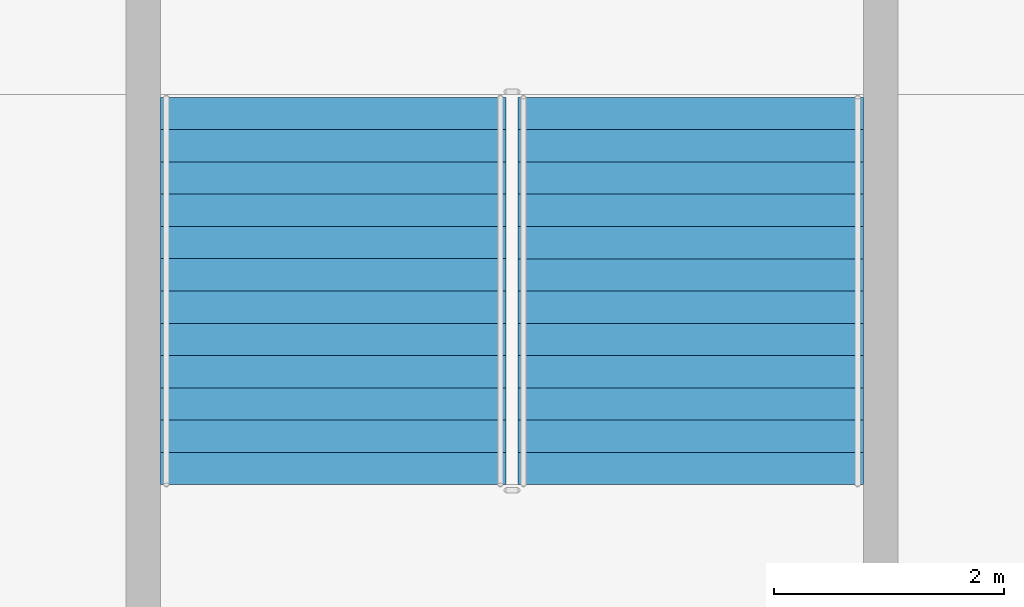
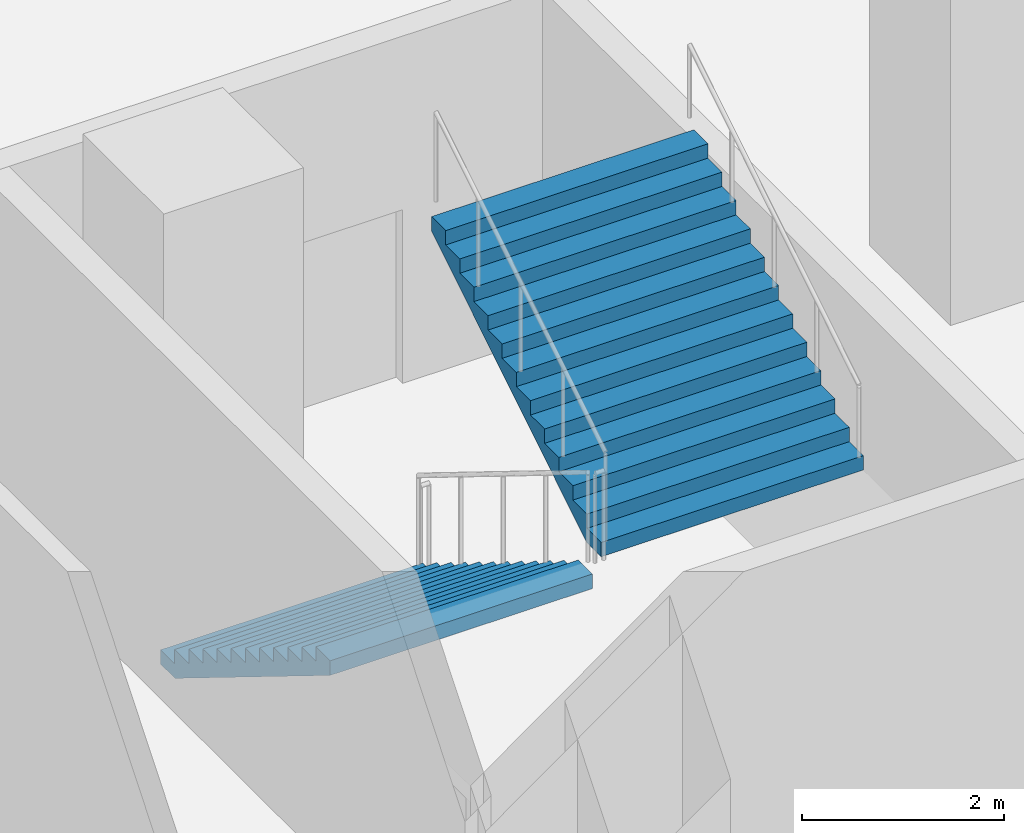
# One storey, part 7 of 13: 2 stair flights, 1 element without a shape of its own.
"""IFC4 building model written with IfcOpenShell, lengths in metres."""

from ifc_helpers import new_model, si_unit, direction, frame, origin, place, context, subcontext, project, spatial, triangles, source, transform, mapped, material, type_object, element, aggregate, save


model = new_model("IFC4")

# Units and contexts
model_context = context("Model", 3, precision=1e-05, world=origin(), true_north=direction((0.0, 1.0)))
body_context = subcontext(model_context, "Body", "Model", "MODEL_VIEW")
ifc_project = project(units=[si_unit("LENGTHUNIT", "METRE"), si_unit("AREAUNIT", "SQUARE_METRE"), si_unit("VOLUMEUNIT", "CUBIC_METRE"), si_unit("PLANEANGLEUNIT", "RADIAN"), si_unit("MASSUNIT", "GRAM", prefix="KILO")], contexts=[model_context])

# Site, building, storey
site_placement = place(None, origin())
site = spatial("IfcSite", under=ifc_project, at=site_placement, CompositionType="ELEMENT")
building_placement = place(site_placement, origin())
building = spatial("IfcBuilding", under=site, at=building_placement, Name="Ogive Portal Towers", CompositionType="ELEMENT")
storey_placement = place(building_placement, frame((0.0, 0.0, -9.0)))
storey = spatial("IfcBuildingStorey", under=building, at=storey_placement, Name="B2", CompositionType="ELEMENT", Elevation=-9.0)

# Stair, stair flights
ifc_material = material(Name="Concrete C40/50", Category="concrete")
stair_type = type_object("IfcStairType", Name="INT-STAIR", PredefinedType="HALF_TURN_STAIR", material=ifc_material)
stair_placement = place(storey_placement, origin())
stair = element("IfcStair", 1, at=stair_placement, inside=storey, type_object=stair_type, Name="B2 Exit Stair ST-S1", PredefinedType="HALF_TURN_STAIR")
stair_flight_type = type_object("IfcStairFlightType", Name="INT-FLIGHT", PredefinedType="STRAIGHT", material=ifc_material)
shared_shape = source(origin(), body_context, "Body", "Tessellation", [
    triangles([(0.0, -1.5, 0.0), (0.0, -0.8681640625, 0.0), (0.0, -0.4443359375, 0.0), (0.0, -0.1875, 0.0), (0.0, -0.0556640625, 0.0), (0.0, -0.0068359375, 0.0), (0.0, 0.0, 0.0), (0.0, 0.0068359375, 0.0), (0.0, 0.0556640625, 0.0), (0.0, 0.1875, 0.0), (0.0, 0.4443359375, 0.0), (0.0, 0.8681640625, 0.0), (0.0, 1.5, 0.0), (0.0, -1.5, 0.173095703125), (0.0, -0.8681640625, 0.173095703125), (0.0, -0.4443359375, 0.173095703125), (0.0, -0.1875, 0.173095703125), (0.0, -0.0556640625, 0.173095703125), (0.0, -0.0068359375, 0.173095703125), (0.0, 0.0, 0.173095703125), (0.0, 0.0068359375, 0.173095703125), (0.0, 0.0556640625, 0.173095703125), (0.0, 0.1875, 0.173095703125), (0.0, 0.4443359375, 0.173095703125), (0.0, 0.8681640625, 0.173095703125), (0.0, 1.5, 0.173095703125), (0.280029296875, -1.5, 0.173095703125), (0.280029296875, -0.8681640625, 0.173095703125), (0.280029296875, -0.4443359375, 0.173095703125), (0.280029296875, -0.1875, 0.173095703125), (0.280029296875, -0.0556640625, 0.173095703125), (0.280029296875, -0.0068359375, 0.173095703125), (0.280029296875, 0.0, 0.173095703125), (0.280029296875, 0.0068359375, 0.173095703125), (0.280029296875, 0.0556640625, 0.173095703125), (0.280029296875, 0.1875, 0.173095703125), (0.280029296875, 0.4443359375, 0.173095703125), (0.280029296875, 0.8681640625, 0.173095703125), (0.280029296875, 1.5, 0.173095703125), (0.280029296875, -1.5, 0.34619140625), (0.280029296875, -0.8681640625, 0.34619140625), (0.280029296875, -0.4443359375, 0.34619140625), (0.280029296875, -0.1875, 0.34619140625), (0.280029296875, -0.0556640625, 0.34619140625), (0.280029296875, -0.0068359375, 0.34619140625), (0.280029296875, 0.0, 0.34619140625), (0.280029296875, 0.0068359375, 0.34619140625), (0.280029296875, 0.0556640625, 0.34619140625), (0.280029296875, 0.1875, 0.34619140625), (0.280029296875, 0.4443359375, 0.34619140625), (0.280029296875, 0.8681640625, 0.34619140625), (0.280029296875, 1.5, 0.34619140625), (0.56005859375, -1.5, 0.34619140625), (0.56005859375, -0.8681640625, 0.34619140625), (0.56005859375, -0.4443359375, 0.34619140625), (0.56005859375, -0.1875, 0.34619140625), (0.56005859375, -0.0556640625, 0.34619140625), (0.56005859375, -0.0068359375, 0.34619140625), (0.56005859375, 0.0, 0.34619140625), (0.56005859375, 0.0068359375, 0.34619140625), (0.56005859375, 0.0556640625, 0.34619140625), (0.56005859375, 0.1875, 0.34619140625), (0.56005859375, 0.4443359375, 0.34619140625), (0.56005859375, 0.8681640625, 0.34619140625), (0.56005859375, 1.5, 0.34619140625), (0.56005859375, -1.5, 0.519287109375), (0.56005859375, -0.8681640625, 0.519287109375), (0.56005859375, -0.4443359375, 0.519287109375), (0.56005859375, -0.1875, 0.519287109375), (0.56005859375, -0.0556640625, 0.519287109375), (0.56005859375, -0.0068359375, 0.519287109375), (0.56005859375, 0.0, 0.519287109375), (0.56005859375, 0.0068359375, 0.519287109375), (0.56005859375, 0.0556640625, 0.519287109375), (0.56005859375, 0.1875, 0.519287109375), (0.56005859375, 0.4443359375, 0.519287109375), (0.56005859375, 0.8681640625, 0.519287109375), (0.56005859375, 1.5, 0.519287109375), (0.840087890625, -1.5, 0.519287109375), (0.840087890625, -0.8681640625, 0.519287109375), (0.840087890625, -0.4443359375, 0.519287109375), (0.840087890625, -0.1875, 0.519287109375), (0.840087890625, -0.0556640625, 0.519287109375), (0.840087890625, -0.0068359375, 0.519287109375), (0.840087890625, 0.0, 0.519287109375), (0.840087890625, 0.0068359375, 0.519287109375), (0.840087890625, 0.0556640625, 0.519287109375), (0.840087890625, 0.1875, 0.519287109375), (0.840087890625, 0.4443359375, 0.519287109375), (0.840087890625, 0.8681640625, 0.519287109375), (0.840087890625, 1.5, 0.519287109375), (0.840087890625, -1.5, 0.6923828125), (0.840087890625, -0.8681640625, 0.6923828125), (0.840087890625, -0.4443359375, 0.6923828125), (0.840087890625, -0.1875, 0.6923828125), (0.840087890625, -0.0556640625, 0.6923828125), (0.840087890625, -0.0068359375, 0.6923828125), (0.840087890625, 0.0, 0.6923828125), (0.840087890625, 0.0068359375, 0.6923828125), (0.840087890625, 0.0556640625, 0.6923828125), (0.840087890625, 0.1875, 0.6923828125), (0.840087890625, 0.4443359375, 0.6923828125), (0.840087890625, 0.8681640625, 0.6923828125), (0.840087890625, 1.5, 0.6923828125), (1.1201171875, -1.5, 0.6923828125), (1.1201171875, -0.8681640625, 0.6923828125), (1.1201171875, -0.4443359375, 0.6923828125), (1.1201171875, -0.1875, 0.6923828125), (1.1201171875, -0.0556640625, 0.6923828125), (1.1201171875, -0.0068359375, 0.6923828125), (1.1201171875, 0.0, 0.6923828125), (1.1201171875, 0.0068359375, 0.6923828125), (1.1201171875, 0.0556640625, 0.6923828125), (1.1201171875, 0.1875, 0.6923828125), (1.1201171875, 0.4443359375, 0.6923828125), (1.1201171875, 0.8681640625, 0.6923828125), (1.1201171875, 1.5, 0.6923828125), (1.1201171875, -1.5, 0.865478515625), (1.1201171875, -0.8681640625, 0.865478515625), (1.1201171875, -0.4443359375, 0.865478515625), (1.1201171875, -0.1875, 0.865478515625), (1.1201171875, -0.0556640625, 0.865478515625), (1.1201171875, -0.0068359375, 0.865478515625), (1.1201171875, 0.0, 0.865478515625), (1.1201171875, 0.0068359375, 0.865478515625), (1.1201171875, 0.0556640625, 0.865478515625), (1.1201171875, 0.1875, 0.865478515625), (1.1201171875, 0.4443359375, 0.865478515625), (1.1201171875, 0.8681640625, 0.865478515625), (1.1201171875, 1.5, 0.865478515625), (1.39990234375, -1.5, 0.865478515625), (1.39990234375, -0.8681640625, 0.865478515625), (1.39990234375, -0.4443359375, 0.865478515625), (1.39990234375, -0.1875, 0.865478515625), (1.39990234375, -0.0556640625, 0.865478515625), (1.39990234375, -0.0068359375, 0.865478515625), (1.39990234375, 0.0, 0.865478515625), (1.39990234375, 0.0068359375, 0.865478515625), (1.39990234375, 0.0556640625, 0.865478515625), (1.39990234375, 0.1875, 0.865478515625), (1.39990234375, 0.4443359375, 0.865478515625), (1.39990234375, 0.8681640625, 0.865478515625), (1.39990234375, 1.5, 0.865478515625), (1.39990234375, -1.5, 1.03857421875), (1.39990234375, -0.8681640625, 1.03857421875), (1.39990234375, -0.4443359375, 1.03857421875), (1.39990234375, -0.1875, 1.03857421875), (1.39990234375, -0.0556640625, 1.03857421875), (1.39990234375, -0.0068359375, 1.03857421875), (1.39990234375, 0.0, 1.03857421875), (1.39990234375, 0.0068359375, 1.03857421875), (1.39990234375, 0.0556640625, 1.03857421875), (1.39990234375, 0.1875, 1.03857421875), (1.39990234375, 0.4443359375, 1.03857421875), (1.39990234375, 0.8681640625, 1.03857421875), (1.39990234375, 1.5, 1.03857421875), (1.679931640625, -1.5, 1.03857421875), (1.679931640625, -0.8681640625, 1.03857421875), (1.679931640625, -0.4443359375, 1.03857421875), (1.679931640625, -0.1875, 1.03857421875), (1.679931640625, -0.0556640625, 1.03857421875), (1.679931640625, -0.0068359375, 1.03857421875), (1.679931640625, 0.0, 1.03857421875), (1.679931640625, 0.0068359375, 1.03857421875), (1.679931640625, 0.0556640625, 1.03857421875), (1.679931640625, 0.1875, 1.03857421875), (1.679931640625, 0.4443359375, 1.03857421875), (1.679931640625, 0.8681640625, 1.03857421875), (1.679931640625, 1.5, 1.03857421875), (1.679931640625, -1.5, 1.21142578125), (1.679931640625, -0.8681640625, 1.21142578125), (1.679931640625, -0.4443359375, 1.21142578125), (1.679931640625, -0.1875, 1.21142578125), (1.679931640625, -0.0556640625, 1.21142578125), (1.679931640625, -0.0068359375, 1.21142578125), (1.679931640625, 0.0, 1.21142578125), (1.679931640625, 0.0068359375, 1.21142578125), (1.679931640625, 0.0556640625, 1.21142578125), (1.679931640625, 0.1875, 1.21142578125), (1.679931640625, 0.4443359375, 1.21142578125), (1.679931640625, 0.8681640625, 1.21142578125), (1.679931640625, 1.5, 1.21142578125), (1.9599609375, -1.5, 1.21142578125), (1.9599609375, -0.8681640625, 1.21142578125), (1.9599609375, -0.4443359375, 1.21142578125), (1.9599609375, -0.1875, 1.21142578125), (1.9599609375, -0.0556640625, 1.21142578125), (1.9599609375, -0.0068359375, 1.21142578125), (1.9599609375, 0.0, 1.21142578125), (1.9599609375, 0.0068359375, 1.21142578125), (1.9599609375, 0.0556640625, 1.21142578125), (1.9599609375, 0.1875, 1.21142578125), (1.9599609375, 0.4443359375, 1.21142578125), (1.9599609375, 0.8681640625, 1.21142578125), (1.9599609375, 1.5, 1.21142578125), (1.9599609375, -1.5, 1.384521484375), (1.9599609375, -0.8681640625, 1.384521484375), (1.9599609375, -0.4443359375, 1.384521484375), (1.9599609375, -0.1875, 1.384521484375), (1.9599609375, -0.0556640625, 1.384521484375), (1.9599609375, -0.0068359375, 1.384521484375), (1.9599609375, 0.0, 1.384521484375), (1.9599609375, 0.0068359375, 1.384521484375), (1.9599609375, 0.0556640625, 1.384521484375), (1.9599609375, 0.1875, 1.384521484375), (1.9599609375, 0.4443359375, 1.384521484375), (1.9599609375, 0.8681640625, 1.384521484375), (1.9599609375, 1.5, 1.384521484375), (2.239990234375, -1.5, 1.384521484375), (2.239990234375, -0.8681640625, 1.384521484375), (2.239990234375, -0.4443359375, 1.384521484375), (2.239990234375, -0.1875, 1.384521484375), (2.239990234375, -0.0556640625, 1.384521484375), (2.239990234375, -0.0068359375, 1.384521484375), (2.239990234375, 0.0, 1.384521484375), (2.239990234375, 0.0068359375, 1.384521484375), (2.239990234375, 0.0556640625, 1.384521484375), (2.239990234375, 0.1875, 1.384521484375), (2.239990234375, 0.4443359375, 1.384521484375), (2.239990234375, 0.8681640625, 1.384521484375), (2.239990234375, 1.5, 1.384521484375), (2.239990234375, -1.5, 1.5576171875), (2.239990234375, -0.8681640625, 1.5576171875), (2.239990234375, -0.4443359375, 1.5576171875), (2.239990234375, -0.1875, 1.5576171875), (2.239990234375, -0.0556640625, 1.5576171875), (2.239990234375, -0.0068359375, 1.5576171875), (2.239990234375, 0.0, 1.5576171875), (2.239990234375, 0.0068359375, 1.5576171875), (2.239990234375, 0.0556640625, 1.5576171875), (2.239990234375, 0.1875, 1.5576171875), (2.239990234375, 0.4443359375, 1.5576171875), (2.239990234375, 0.8681640625, 1.5576171875), (2.239990234375, 1.5, 1.5576171875), (2.52001953125, -1.5, 1.5576171875), (2.52001953125, -0.8681640625, 1.5576171875), (2.52001953125, -0.4443359375, 1.5576171875), (2.52001953125, -0.1875, 1.5576171875), (2.52001953125, -0.0556640625, 1.5576171875), (2.52001953125, -0.0068359375, 1.5576171875), (2.52001953125, 0.0, 1.5576171875), (2.52001953125, 0.0068359375, 1.5576171875), (2.52001953125, 0.0556640625, 1.5576171875), (2.52001953125, 0.1875, 1.5576171875), (2.52001953125, 0.4443359375, 1.5576171875), (2.52001953125, 0.8681640625, 1.5576171875), (2.52001953125, 1.5, 1.5576171875), (2.52001953125, -1.5, 1.730712890625), (2.52001953125, -0.8681640625, 1.730712890625), (2.52001953125, -0.4443359375, 1.730712890625), (2.52001953125, -0.1875, 1.730712890625), (2.52001953125, -0.0556640625, 1.730712890625), (2.52001953125, -0.0068359375, 1.730712890625), (2.52001953125, 0.0, 1.730712890625), (2.52001953125, 0.0068359375, 1.730712890625), (2.52001953125, 0.0556640625, 1.730712890625), (2.52001953125, 0.1875, 1.730712890625), (2.52001953125, 0.4443359375, 1.730712890625), (2.52001953125, 0.8681640625, 1.730712890625), (2.52001953125, 1.5, 1.730712890625), (2.800048828125, -1.5, 1.730712890625), (2.800048828125, -0.8681640625, 1.730712890625), (2.800048828125, -0.4443359375, 1.730712890625), (2.800048828125, -0.1875, 1.730712890625), (2.800048828125, -0.0556640625, 1.730712890625), (2.800048828125, -0.0068359375, 1.730712890625), (2.800048828125, 0.0, 1.730712890625), (2.800048828125, 0.0068359375, 1.730712890625), (2.800048828125, 0.0556640625, 1.730712890625), (2.800048828125, 0.1875, 1.730712890625), (2.800048828125, 0.4443359375, 1.730712890625), (2.800048828125, 0.8681640625, 1.730712890625), (2.800048828125, 1.5, 1.730712890625), (2.800048828125, -1.5, 1.90380859375), (2.800048828125, -0.8681640625, 1.90380859375), (2.800048828125, -0.4443359375, 1.90380859375), (2.800048828125, -0.1875, 1.90380859375), (2.800048828125, -0.0556640625, 1.90380859375), (2.800048828125, -0.0068359375, 1.90380859375), (2.800048828125, 0.0, 1.90380859375), (2.800048828125, 0.0068359375, 1.90380859375), (2.800048828125, 0.0556640625, 1.90380859375), (2.800048828125, 0.1875, 1.90380859375), (2.800048828125, 0.4443359375, 1.90380859375), (2.800048828125, 0.8681640625, 1.90380859375), (2.800048828125, 1.5, 1.90380859375), (3.080078125, -1.5, 1.90380859375), (3.080078125, -0.8681640625, 1.90380859375), (3.080078125, -0.4443359375, 1.90380859375), (3.080078125, -0.1875, 1.90380859375), (3.080078125, -0.0556640625, 1.90380859375), (3.080078125, -0.0068359375, 1.90380859375), (3.080078125, 0.0, 1.90380859375), (3.080078125, 0.0068359375, 1.90380859375), (3.080078125, 0.0556640625, 1.90380859375), (3.080078125, 0.1875, 1.90380859375), (3.080078125, 0.4443359375, 1.90380859375), (3.080078125, 0.8681640625, 1.90380859375), (3.080078125, 1.5, 1.90380859375), (3.080078125, -1.5, 2.076904296875), (3.080078125, -0.8681640625, 2.076904296875), (3.080078125, -0.4443359375, 2.076904296875), (3.080078125, -0.1875, 2.076904296875), (3.080078125, -0.0556640625, 2.076904296875), (3.080078125, -0.0068359375, 2.076904296875), (3.080078125, 0.0, 2.076904296875), (3.080078125, 0.0068359375, 2.076904296875), (3.080078125, 0.0556640625, 2.076904296875), (3.080078125, 0.1875, 2.076904296875), (3.080078125, 0.4443359375, 2.076904296875), (3.080078125, 0.8681640625, 2.076904296875), (3.080078125, 1.5, 2.076904296875), (3.360107421875, -1.5, 2.076904296875), (3.360107421875, -0.8681640625, 2.076904296875), (3.360107421875, -0.4443359375, 2.076904296875), (3.360107421875, -0.1875, 2.076904296875), (3.360107421875, -0.0556640625, 2.076904296875), (3.360107421875, -0.0068359375, 2.076904296875), (3.360107421875, 0.0, 2.076904296875), (3.360107421875, 0.0068359375, 2.076904296875), (3.360107421875, 0.0556640625, 2.076904296875), (3.360107421875, 0.1875, 2.076904296875), (3.360107421875, 0.4443359375, 2.076904296875), (3.360107421875, 0.8681640625, 2.076904296875), (3.360107421875, 1.5, 2.076904296875), (3.360107421875, -1.5, 1.900634765625), (3.360107421875, -0.8681640625, 1.900634765625), (3.360107421875, -0.4443359375, 1.900634765625), (3.360107421875, -0.1875, 1.900634765625), (3.360107421875, -0.0556640625, 1.900634765625), (3.360107421875, -0.0068359375, 1.900634765625), (3.360107421875, 0.0, 1.900634765625), (3.360107421875, 0.0068359375, 1.900634765625), (3.360107421875, 0.0556640625, 1.900634765625), (3.360107421875, 0.1875, 1.900634765625), (3.360107421875, 0.4443359375, 1.900634765625), (3.360107421875, 0.8681640625, 1.900634765625), (3.360107421875, 1.5, 1.900634765625), (0.28515625, -1.5, 0.0), (0.28515625, -0.8681640625, 0.0), (0.28515625, -0.4443359375, 0.0), (0.28515625, -0.1875, 0.0), (0.28515625, -0.0556640625, 0.0), (0.28515625, -0.0068359375, 0.0), (0.28515625, 0.0, 0.0), (0.28515625, 0.0068359375, 0.0), (0.28515625, 0.0556640625, 0.0), (0.28515625, 0.1875, 0.0), (0.28515625, 0.4443359375, 0.0), (0.28515625, 0.8681640625, 0.0), (0.28515625, 1.5, 0.0)], [[1, 14, 15], [1, 15, 2], [2, 15, 16], [2, 16, 3], [3, 16, 17], [3, 17, 4], [4, 17, 18], [4, 18, 5], [5, 18, 19], [5, 19, 6], [6, 19, 20], [6, 20, 7], [7, 20, 21], [7, 21, 8], [8, 21, 22], [8, 22, 9], [9, 22, 23], [9, 23, 10], [10, 23, 24], [10, 24, 11], [11, 24, 25], [11, 25, 12], [12, 25, 26], [12, 26, 13], [14, 27, 28], [14, 28, 15], [15, 28, 29], [15, 29, 16], [16, 29, 30], [16, 30, 17], [17, 30, 31], [17, 31, 18], [18, 31, 32], [18, 32, 19], [19, 32, 33], [19, 33, 20], [20, 33, 34], [20, 34, 21], [21, 34, 35], [21, 35, 22], [22, 35, 36], [22, 36, 23], [23, 36, 37], [23, 37, 24], [24, 37, 38], [24, 38, 25], [25, 38, 39], [25, 39, 26], [27, 40, 41], [27, 41, 28], [28, 41, 42], [28, 42, 29], [29, 42, 43], [29, 43, 30], [30, 43, 44], [30, 44, 31], [31, 44, 45], [31, 45, 32], [32, 45, 46], [32, 46, 33], [33, 46, 47], [33, 47, 34], [34, 47, 48], [34, 48, 35], [35, 48, 49], [35, 49, 36], [36, 49, 50], [36, 50, 37], [37, 50, 51], [37, 51, 38], [38, 51, 52], [38, 52, 39], [40, 53, 54], [40, 54, 41], [41, 54, 55], [41, 55, 42], [42, 55, 56], [42, 56, 43], [43, 56, 57], [43, 57, 44], [44, 57, 58], [44, 58, 45], [45, 58, 59], [45, 59, 46], [46, 59, 60], [46, 60, 47], [47, 60, 61], [47, 61, 48], [48, 61, 62], [48, 62, 49], [49, 62, 63], [49, 63, 50], [50, 63, 64], [50, 64, 51], [51, 64, 65], [51, 65, 52], [53, 66, 67], [53, 67, 54], [54, 67, 68], [54, 68, 55], [55, 68, 69], [55, 69, 56], [56, 69, 70], [56, 70, 57], [57, 70, 71], [57, 71, 58], [58, 71, 72], [58, 72, 59], [59, 72, 73], [59, 73, 60], [60, 73, 74], [60, 74, 61], [61, 74, 75], [61, 75, 62], [62, 75, 76], [62, 76, 63], [63, 76, 77], [63, 77, 64], [64, 77, 78], [64, 78, 65], [66, 79, 80], [66, 80, 67], [67, 80, 81], [67, 81, 68], [68, 81, 82], [68, 82, 69], [69, 82, 83], [69, 83, 70], [70, 83, 84], [70, 84, 71], [71, 84, 85], [71, 85, 72], [72, 85, 86], [72, 86, 73], [73, 86, 87], [73, 87, 74], [74, 87, 88], [74, 88, 75], [75, 88, 89], [75, 89, 76], [76, 89, 90], [76, 90, 77], [77, 90, 91], [77, 91, 78], [79, 92, 93], [79, 93, 80], [80, 93, 94], [80, 94, 81], [81, 94, 95], [81, 95, 82], [82, 95, 96], [82, 96, 83], [83, 96, 97], [83, 97, 84], [84, 97, 98], [84, 98, 85], [85, 98, 99], [85, 99, 86], [86, 99, 100], [86, 100, 87], [87, 100, 101], [87, 101, 88], [88, 101, 102], [88, 102, 89], [89, 102, 103], [89, 103, 90], [90, 103, 104], [90, 104, 91], [92, 105, 106], [92, 106, 93], [93, 106, 107], [93, 107, 94], [94, 107, 108], [94, 108, 95], [95, 108, 109], [95, 109, 96], [96, 109, 110], [96, 110, 97], [97, 110, 111], [97, 111, 98], [98, 111, 112], [98, 112, 99], [99, 112, 113], [99, 113, 100], [100, 113, 114], [100, 114, 101], [101, 114, 115], [101, 115, 102], [102, 115, 116], [102, 116, 103], [103, 116, 117], [103, 117, 104], [105, 118, 119], [105, 119, 106], [106, 119, 120], [106, 120, 107], [107, 120, 121], [107, 121, 108], [108, 121, 122], [108, 122, 109], [109, 122, 123], [109, 123, 110], [110, 123, 124], [110, 124, 111], [111, 124, 125], [111, 125, 112], [112, 125, 126], [112, 126, 113], [113, 126, 127], [113, 127, 114], [114, 127, 128], [114, 128, 115], [115, 128, 129], [115, 129, 116], [116, 129, 130], [116, 130, 117], [118, 131, 132], [118, 132, 119], [119, 132, 133], [119, 133, 120], [120, 133, 134], [120, 134, 121], [121, 134, 135], [121, 135, 122], [122, 135, 136], [122, 136, 123], [123, 136, 137], [123, 137, 124], [124, 137, 138], [124, 138, 125], [125, 138, 139], [125, 139, 126], [126, 139, 140], [126, 140, 127], [127, 140, 141], [127, 141, 128], [128, 141, 142], [128, 142, 129], [129, 142, 143], [129, 143, 130], [131, 144, 145], [131, 145, 132], [132, 145, 146], [132, 146, 133], [133, 146, 147], [133, 147, 134], [134, 147, 148], [134, 148, 135], [135, 148, 149], [135, 149, 136], [136, 149, 150], [136, 150, 137], [137, 150, 151], [137, 151, 138], [138, 151, 152], [138, 152, 139], [139, 152, 153], [139, 153, 140], [140, 153, 154], [140, 154, 141], [141, 154, 155], [141, 155, 142], [142, 155, 156], [142, 156, 143], [144, 157, 158], [144, 158, 145], [145, 158, 159], [145, 159, 146], [146, 159, 160], [146, 160, 147], [147, 160, 161], [147, 161, 148], [148, 161, 162], [148, 162, 149], [149, 162, 163], [149, 163, 150], [150, 163, 164], [150, 164, 151], [151, 164, 165], [151, 165, 152], [152, 165, 166], [152, 166, 153], [153, 166, 167], [153, 167, 154], [154, 167, 168], [154, 168, 155], [155, 168, 169], [155, 169, 156], [157, 170, 171], [157, 171, 158], [158, 171, 172], [158, 172, 159], [159, 172, 173], [159, 173, 160], [160, 173, 174], [160, 174, 161], [161, 174, 175], [161, 175, 162], [162, 175, 176], [162, 176, 163], [163, 176, 177], [163, 177, 164], [164, 177, 178], [164, 178, 165], [165, 178, 179], [165, 179, 166], [166, 179, 180], [166, 180, 167], [167, 180, 181], [167, 181, 168], [168, 181, 182], [168, 182, 169], [170, 183, 184], [170, 184, 171], [171, 184, 185], [171, 185, 172], [172, 185, 186], [172, 186, 173], [173, 186, 187], [173, 187, 174], [174, 187, 188], [174, 188, 175], [175, 188, 189], [175, 189, 176], [176, 189, 190], [176, 190, 177], [177, 190, 191], [177, 191, 178], [178, 191, 192], [178, 192, 179], [179, 192, 193], [179, 193, 180], [180, 193, 194], [180, 194, 181], [181, 194, 195], [181, 195, 182], [183, 196, 197], [183, 197, 184], [184, 197, 198], [184, 198, 185], [185, 198, 199], [185, 199, 186], [186, 199, 200], [186, 200, 187], [187, 200, 201], [187, 201, 188], [188, 201, 202], [188, 202, 189], [189, 202, 203], [189, 203, 190], [190, 203, 204], [190, 204, 191], [191, 204, 205], [191, 205, 192], [192, 205, 206], [192, 206, 193], [193, 206, 207], [193, 207, 194], [194, 207, 208], [194, 208, 195], [196, 209, 210], [196, 210, 197], [197, 210, 211], [197, 211, 198], [198, 211, 212], [198, 212, 199], [199, 212, 213], [199, 213, 200], [200, 213, 214], [200, 214, 201], [201, 214, 215], [201, 215, 202], [202, 215, 216], [202, 216, 203], [203, 216, 217], [203, 217, 204], [204, 217, 218], [204, 218, 205], [205, 218, 219], [205, 219, 206], [206, 219, 220], [206, 220, 207], [207, 220, 221], [207, 221, 208], [209, 222, 223], [209, 223, 210], [210, 223, 224], [210, 224, 211], [211, 224, 225], [211, 225, 212], [212, 225, 226], [212, 226, 213], [213, 226, 227], [213, 227, 214], [214, 227, 228], [214, 228, 215], [215, 228, 229], [215, 229, 216], [216, 229, 230], [216, 230, 217], [217, 230, 231], [217, 231, 218], [218, 231, 232], [218, 232, 219], [219, 232, 233], [219, 233, 220], [220, 233, 234], [220, 234, 221], [222, 235, 236], [222, 236, 223], [223, 236, 237], [223, 237, 224], [224, 237, 238], [224, 238, 225], [225, 238, 239], [225, 239, 226], [226, 239, 240], [226, 240, 227], [227, 240, 241], [227, 241, 228], [228, 241, 242], [228, 242, 229], [229, 242, 243], [229, 243, 230], [230, 243, 244], [230, 244, 231], [231, 244, 245], [231, 245, 232], [232, 245, 246], [232, 246, 233], [233, 246, 247], [233, 247, 234], [235, 248, 249], [235, 249, 236], [236, 249, 250], [236, 250, 237], [237, 250, 251], [237, 251, 238], [238, 251, 252], [238, 252, 239], [239, 252, 253], [239, 253, 240], [240, 253, 254], [240, 254, 241], [241, 254, 255], [241, 255, 242], [242, 255, 256], [242, 256, 243], [243, 256, 257], [243, 257, 244], [244, 257, 258], [244, 258, 245], [245, 258, 259], [245, 259, 246], [246, 259, 260], [246, 260, 247], [248, 261, 262], [248, 262, 249], [249, 262, 263], [249, 263, 250], [250, 263, 264], [250, 264, 251], [251, 264, 265], [251, 265, 252], [252, 265, 266], [252, 266, 253], [253, 266, 267], [253, 267, 254], [254, 267, 268], [254, 268, 255], [255, 268, 269], [255, 269, 256], [256, 269, 270], [256, 270, 257], [257, 270, 271], [257, 271, 258], [258, 271, 272], [258, 272, 259], [259, 272, 273], [259, 273, 260], [261, 274, 275], [261, 275, 262], [262, 275, 276], [262, 276, 263], [263, 276, 277], [263, 277, 264], [264, 277, 278], [264, 278, 265], [265, 278, 279], [265, 279, 266], [266, 279, 280], [266, 280, 267], [267, 280, 281], [267, 281, 268], [268, 281, 282], [268, 282, 269], [269, 282, 283], [269, 283, 270], [270, 283, 284], [270, 284, 271], [271, 284, 285], [271, 285, 272], [272, 285, 286], [272, 286, 273], [274, 287, 288], [274, 288, 275], [275, 288, 289], [275, 289, 276], [276, 289, 290], [276, 290, 277], [277, 290, 291], [277, 291, 278], [278, 291, 292], [278, 292, 279], [279, 292, 293], [279, 293, 280], [280, 293, 294], [280, 294, 281], [281, 294, 295], [281, 295, 282], [282, 295, 296], [282, 296, 283], [283, 296, 297], [283, 297, 284], [284, 297, 298], [284, 298, 285], [285, 298, 299], [285, 299, 286], [287, 300, 301], [287, 301, 288], [288, 301, 302], [288, 302, 289], [289, 302, 303], [289, 303, 290], [290, 303, 304], [290, 304, 291], [291, 304, 305], [291, 305, 292], [292, 305, 306], [292, 306, 293], [293, 306, 307], [293, 307, 294], [294, 307, 308], [294, 308, 295], [295, 308, 309], [295, 309, 296], [296, 309, 310], [296, 310, 297], [297, 310, 311], [297, 311, 298], [298, 311, 312], [298, 312, 299], [300, 313, 314], [300, 314, 301], [301, 314, 315], [301, 315, 302], [302, 315, 316], [302, 316, 303], [303, 316, 317], [303, 317, 304], [304, 317, 318], [304, 318, 305], [305, 318, 319], [305, 319, 306], [306, 319, 320], [306, 320, 307], [307, 320, 321], [307, 321, 308], [308, 321, 322], [308, 322, 309], [309, 322, 323], [309, 323, 310], [310, 323, 324], [310, 324, 311], [311, 324, 325], [311, 325, 312], [313, 326, 327], [313, 327, 314], [314, 327, 328], [314, 328, 315], [315, 328, 329], [315, 329, 316], [316, 329, 330], [316, 330, 317], [317, 330, 331], [317, 331, 318], [318, 331, 332], [318, 332, 319], [319, 332, 333], [319, 333, 320], [320, 333, 334], [320, 334, 321], [321, 334, 335], [321, 335, 322], [322, 335, 336], [322, 336, 323], [323, 336, 337], [323, 337, 324], [324, 337, 338], [324, 338, 325], [326, 339, 340], [326, 340, 327], [327, 340, 341], [327, 341, 328], [328, 341, 342], [328, 342, 329], [329, 342, 343], [329, 343, 330], [330, 343, 344], [330, 344, 331], [331, 344, 345], [331, 345, 332], [332, 345, 346], [332, 346, 333], [333, 346, 347], [333, 347, 334], [334, 347, 348], [334, 348, 335], [335, 348, 349], [335, 349, 336], [336, 349, 350], [336, 350, 337], [337, 350, 351], [337, 351, 338], [339, 1, 2], [339, 2, 340], [340, 2, 3], [340, 3, 341], [341, 3, 4], [341, 4, 342], [342, 4, 5], [342, 5, 343], [343, 5, 6], [343, 6, 344], [344, 6, 7], [344, 7, 345], [345, 7, 8], [345, 8, 346], [346, 8, 9], [346, 9, 347], [347, 9, 10], [347, 10, 348], [348, 10, 11], [348, 11, 349], [349, 11, 12], [349, 12, 350], [350, 12, 13], [350, 13, 351], [1, 339, 326], [13, 338, 351], [326, 313, 300], [338, 312, 325], [326, 300, 287], [338, 299, 312], [326, 287, 274], [338, 286, 299], [326, 274, 261], [338, 273, 286], [261, 248, 235], [273, 247, 260], [326, 261, 235], [338, 247, 273], [235, 222, 209], [247, 221, 234], [326, 235, 209], [338, 221, 247], [209, 196, 183], [221, 195, 208], [326, 209, 183], [338, 195, 221], [1, 326, 183], [13, 195, 338], [183, 170, 157], [195, 169, 182], [157, 144, 131], [169, 143, 156], [183, 157, 131], [195, 143, 169], [131, 118, 105], [143, 117, 130], [183, 131, 105], [195, 117, 143], [105, 92, 79], [117, 91, 104], [183, 105, 79], [195, 91, 117], [79, 66, 53], [91, 65, 78], [183, 79, 53], [195, 65, 91], [53, 40, 27], [65, 39, 52], [183, 53, 27], [195, 39, 65], [1, 183, 27], [13, 39, 195], [27, 14, 1], [39, 13, 26]], closed=True),
])
stair_flight_1_placement = place(storey_placement, frame((67.5, 19.550048828125, 0.0), z_axis=(0.0, 0.0, 1.0), x_axis=(0.0, -1.0, 0.0)))
stair_flight_1 = element("IfcStairFlight", 2, at=stair_flight_1_placement, type_object=stair_flight_type, Name="ST-S1 flight 1", NumberOfRisers=13, NumberOfTreads=12, PredefinedType="STRAIGHT", RiserHeight=0.173076923, TreadLength=0.28, context=body_context, shape_type="MappedRepresentation", body=[
    mapped(shared_shape, transform((0.0, 0.0, 0.0), scale=1.0)),
])
stair_flight_2_placement = place(storey_placement, frame((70.60009765625, 16.18994140625, 2.25), z_axis=(0.0, 0.0, 1.0), x_axis=(0.0, 1.0, 0.0)))
stair_flight_2 = element("IfcStairFlight", 3, at=stair_flight_2_placement, type_object=stair_flight_type, Name="ST-S1 flight 2", NumberOfRisers=13, NumberOfTreads=12, PredefinedType="STRAIGHT", RiserHeight=0.173076923, TreadLength=0.28, context=body_context, shape_type="MappedRepresentation", body=[
    mapped(shared_shape, transform((0.0, 0.0, 0.0), scale=1.0)),
])
aggregate(stair, [stair_flight_1, stair_flight_2])

save(model, "model.ifc")
